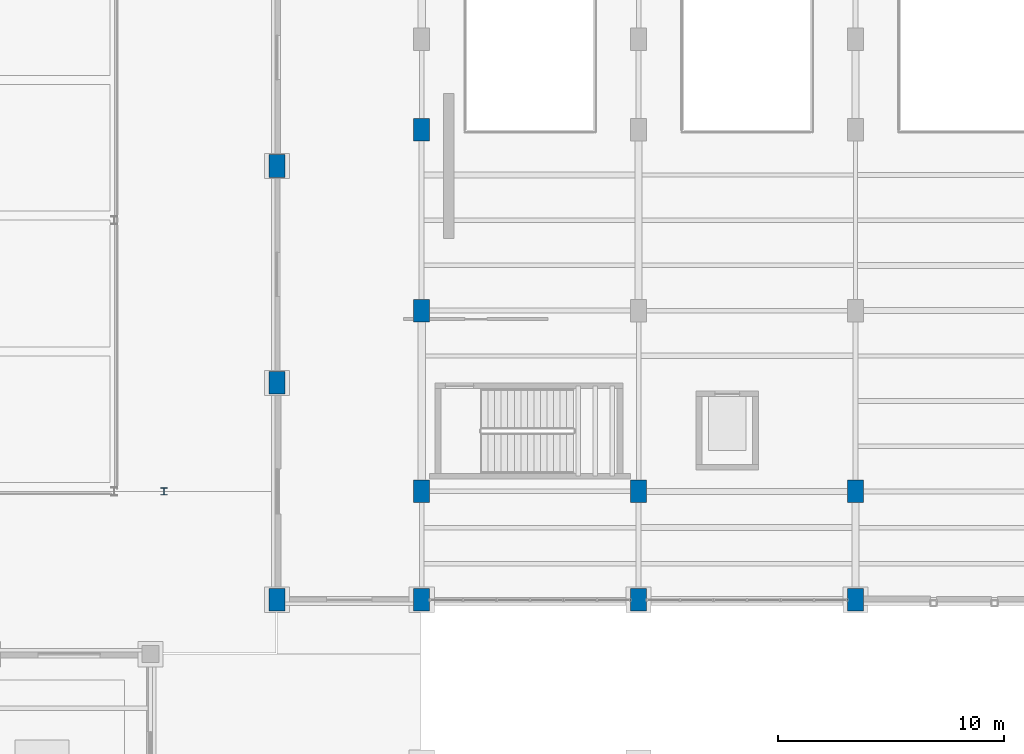
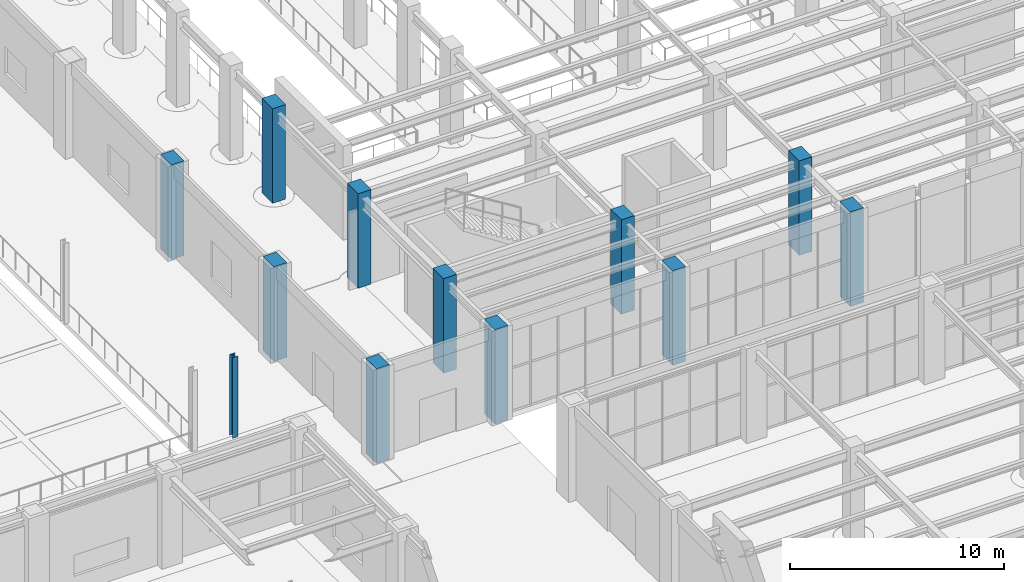
# One storey, part 10 of 164: 12 columns.
"""IFC4 building model written with IfcOpenShell, lengths in metres."""

from ifc_helpers import new_model, si_unit, direction, frame, origin, origin_2d, place, context, subcontext, project, spatial, rectangle, i_section, extrude, material, material_profile, profile_set, type_object, element, save


model = new_model("IFC4")

# Units and contexts
model_context = context("Model", 3, precision=1e-05, world=origin(), true_north=direction((0.0, 1.0)))
body_context = subcontext(model_context, "Body", "Model", "MODEL_VIEW")
ifc_project = project(units=[si_unit("LENGTHUNIT", "METRE"), si_unit("AREAUNIT", "SQUARE_METRE"), si_unit("VOLUMEUNIT", "CUBIC_METRE"), si_unit("PLANEANGLEUNIT", "RADIAN"), si_unit("MASSUNIT", "GRAM", prefix="KILO")], contexts=[model_context])

# Site, building, storey
site_placement = place(None, origin())
site = spatial("IfcSite", under=ifc_project, at=site_placement, CompositionType="ELEMENT")
building_placement = place(site_placement, origin())
building = spatial("IfcBuilding", under=site, at=building_placement, Name="Mavantir Sound Aquarium", CompositionType="ELEMENT")
storey_placement = place(building_placement, origin())
storey = spatial("IfcBuildingStorey", under=building, at=storey_placement, Name="L00", CompositionType="ELEMENT", Elevation=0.0)

# Columns
ifc_material_1 = material(Name="Concrete C40/50", Category="concrete")
ifc_material_profile_1 = material_profile(ifc_material_1, rectangle(XDim=0.699951171875, YDim=1.0, at=origin_2d()), Name="RC 700X1000")
ifc_profile_set_1 = profile_set([ifc_material_profile_1], Name="Concrete C40/50")
column_type_1 = type_object("IfcColumnType", Name="COL-RC700X1000-I", PredefinedType="COLUMN", material=ifc_profile_set_1)
for number, where, z_axis, x_axis, name in (
    (1, (101.60009765625, 36.0, 0.0), (0.0, 0.0, 1.0), (1.0, 0.0, 0.0), "L00 column RC-C710 (V4)"),
    (2, (101.60009765625, 45.60009765625, 0.0), (0.0, 0.0, 1.0), (1.0, 0.0, 0.0), "L00 column RC-C710 (V4)"),
    (3, (101.60009765625, 55.199951171875, 0.0), (0.0, 0.0, 1.0), (1.0, 0.0, 0.0), "L00 column RC-C710 (V4)"),
    (4, (108.0, 36.0, 0.0), (0.0, 0.0, 1.0), (1.0, 0.0, 0.0), "L00 column RC-C710 (V4)"),
    (5, (108.0, 40.800048828125, 0.0), (0.0, 0.0, 1.0), (1.0, 0.0, 0.0), "L00 column RC-C710 (V4)"),
    (6, (108.0, 48.800048828125, 0.0), (0.0, 0.0, 1.0), (1.0, 0.0, 0.0), "L00 column RC-C710 (V4)"),
    (7, (108.0, 56.800048828125, 0.0), (0.0, 0.0, 1.0), (1.0, 0.0, 0.0), "L00 column RC-C710 (V4)"),
    (8, (117.60009765625, 36.0, 0.0), (0.0, 0.0, 1.0), (1.0, 0.0, 0.0), "L00 column RC-C710 (V4)"),
    (9, (117.60009765625, 40.800048828125, 0.0), (0.0, 0.0, 1.0), (1.0, 0.0, 0.0), "L00 column RC-C710 (V4)"),
    (10, (127.199951171875, 36.0, 0.0), (0.0, 0.0, 1.0), (1.0, 0.0, 0.0), "L00 column RC-C710 (V4)"),
    (11, (127.199951171875, 40.800048828125, 0.0), (0.0, 0.0, 1.0), (1.0, 0.0, 0.0), "L00 column RC-C710 (V4)"),
):
    element("IfcColumn", number, at=place(storey_placement, frame(where, z_axis=z_axis, x_axis=x_axis)), inside=storey, type_object=column_type_1, Name=name, PredefinedType="COLUMN", context=body_context, shape_type="SweptSolid", body=[
        extrude(rectangle(XDim=0.699951171875, YDim=1.0, at=origin_2d()), origin(), (0.0, 0.0, 1.0), 5.39990234375),
    ])
ifc_material_2 = material(Name="Structural Steel ASTM A992 Gr50", Category="steel")
ifc_material_profile_2 = material_profile(ifc_material_2, i_section(OverallWidth=0.304931640625, OverallDepth=0.30810546875, WebThickness=0.010009765625, FlangeThickness=0.015380859375, FilletRadius=0.014892578125, at=origin_2d()), Name="W310X97")
ifc_profile_set_2 = profile_set([ifc_material_profile_2], Name="Structural Steel ASTM A992 Gr50")
column_type_2 = type_object("IfcColumnType", Name="COL-W310X97-E", PredefinedType="COLUMN", material=ifc_profile_set_2)
column_placement = place(storey_placement, frame((96.60009765625, 40.800048828125, 0.0), z_axis=(0.0, 0.0, 1.0), x_axis=(1.0, 0.0, 0.0)))
element("IfcColumn", 12, at=column_placement, inside=storey, type_object=column_type_2, Name="Tidal water court colonnade pier 11", PredefinedType="COLUMN", context=body_context, shape_type="SweptSolid", body=[
    extrude(i_section(OverallWidth=0.304931640625, OverallDepth=0.30810546875, WebThickness=0.010009765625, FlangeThickness=0.015380859375, FilletRadius=0.014892578125, at=origin_2d()), origin(), (0.0, 0.0, 1.0), 4.60009765625),
])

save(model, "model.ifc")
